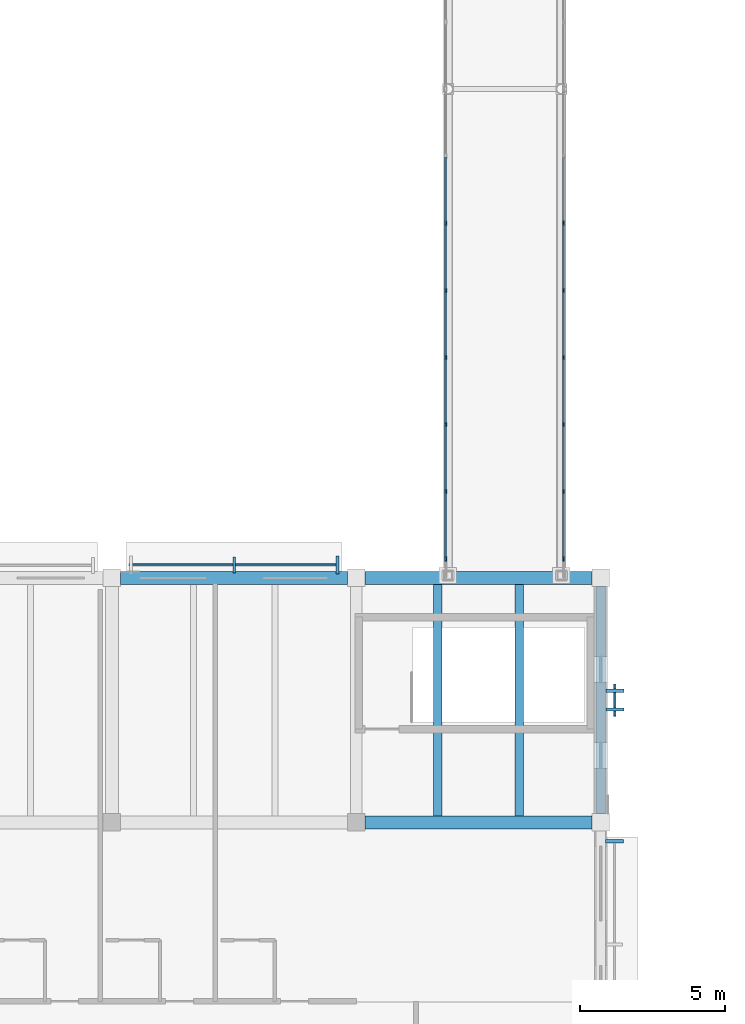
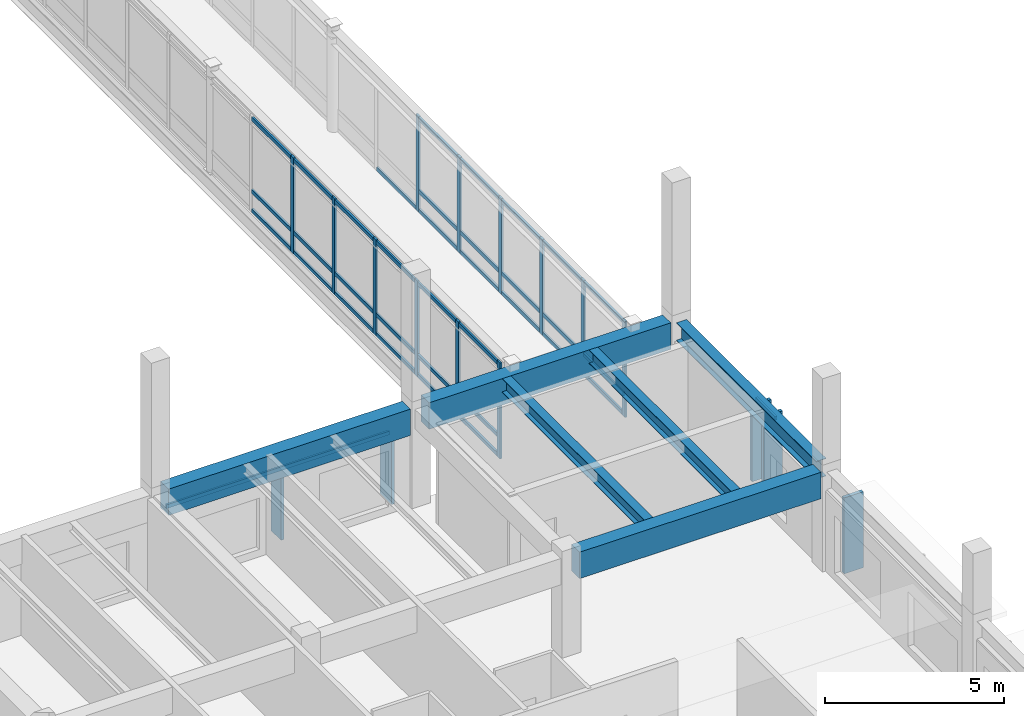
# One storey, part 25 of 118: 53 members, 6 beams, 5 elements without a shape of their own.
"""IFC4 building model written with IfcOpenShell, lengths in metres."""

from ifc_helpers import new_model, si_unit, direction, frame, origin, origin_2d, place, context, subcontext, project, spatial, rectangle, i_section, extrude, material, material_profile, profile_set, type_object, element, aggregate, save


model = new_model("IFC4")

# Units and contexts
model_context = context("Model", 3, precision=1e-05, world=origin(), true_north=direction((0.0, 1.0)))
body_context = subcontext(model_context, "Body", "Model", "MODEL_VIEW")
ifc_project = project(units=[si_unit("LENGTHUNIT", "METRE"), si_unit("AREAUNIT", "SQUARE_METRE"), si_unit("VOLUMEUNIT", "CUBIC_METRE"), si_unit("PLANEANGLEUNIT", "RADIAN"), si_unit("MASSUNIT", "GRAM", prefix="KILO")], contexts=[model_context])

# Site, building, storey
site_placement = place(None, origin())
site = spatial("IfcSite", under=ifc_project, at=site_placement, CompositionType="ELEMENT")
building_placement = place(site_placement, origin())
building = spatial("IfcBuilding", under=site, at=building_placement, Name="Cumbredor Promenade Congress Hotel", CompositionType="ELEMENT")
storey_placement = place(building_placement, frame((0.0, 0.0, 3.919921875)))
storey = spatial("IfcBuildingStorey", under=building, at=storey_placement, Name="L01", CompositionType="ELEMENT", Elevation=3.919921875)

# Curtain wall, members
ifc_material_1 = material(Name="Thermally broken anodized aluminium and low-E glass", Category="aluminium")
curtain_wall_type_1 = type_object("IfcCurtainWallType", Name="Unitised Bridge Glazing Screen CW-05", PredefinedType="NOTDEFINED", material=ifc_material_1)
curtain_wall_1_placement = place(storey_placement, origin())
curtain_wall_1 = element("IfcCurtainWall", 1, at=curtain_wall_1_placement, inside=storey, type_object=curtain_wall_type_1, Name="L01 Central Reflecting-Pool Promenade Bridge West Glazing Screen", PredefinedType="NOTDEFINED")
ifc_material_2 = material(Name="Thermally broken anodized aluminium", Category="aluminium")
ifc_material_profile_1 = material_profile(ifc_material_2, rectangle(XDim=0.06494140625, YDim=0.159912109375, at=origin_2d()), Name="ALU MULLION 65x160")
ifc_profile_set_1 = profile_set([ifc_material_profile_1], Name="Thermally broken anodized aluminium")
member_type_1 = type_object("IfcMemberType", Name="Curtain Wall Mullion ML-01", PredefinedType="MULLION", material=ifc_profile_set_1)
member_1_placement = place(storey_placement, frame((103.8798828125, 51.06005859375, -0.0078125), z_axis=(0.0, 0.0, 1.0), x_axis=(1.0, 0.0, 0.0)))
member_1 = element("IfcMember", 2, at=member_1_placement, type_object=member_type_1, Name="L01 Central Reflecting-Pool Promenade Bridge West Glazing Screen Mullion 1", PredefinedType="MULLION", context=body_context, shape_type="SweptSolid", body=[
    extrude(rectangle(XDim=0.06494140625, YDim=0.159912109375, at=origin_2d()), origin(), (0.0, 0.0, 1.0), 3.27587890625),
])
member_2_placement = place(storey_placement, frame((103.8798828125, 53.36572265625, -0.0078125), z_axis=(0.0, 0.0, 1.0), x_axis=(1.0, 0.0, 0.0)))
member_2 = element("IfcMember", 3, at=member_2_placement, type_object=member_type_1, Name="L01 Central Reflecting-Pool Promenade Bridge West Glazing Screen Mullion 2", PredefinedType="MULLION", context=body_context, shape_type="SweptSolid", body=[
    extrude(rectangle(XDim=0.06494140625, YDim=0.159912109375, at=origin_2d()), origin(), (0.0, 0.0, 1.0), 3.27587890625),
])
member_3_placement = place(storey_placement, frame((103.8798828125, 55.67138671875, -0.0078125), z_axis=(0.0, 0.0, 1.0), x_axis=(1.0, 0.0, 0.0)))
member_3 = element("IfcMember", 4, at=member_3_placement, type_object=member_type_1, Name="L01 Central Reflecting-Pool Promenade Bridge West Glazing Screen Mullion 3", PredefinedType="MULLION", context=body_context, shape_type="SweptSolid", body=[
    extrude(rectangle(XDim=0.06494140625, YDim=0.159912109375, at=origin_2d()), origin(), (0.0, 0.0, 1.0), 3.27587890625),
])
member_4_placement = place(storey_placement, frame((103.8798828125, 57.97705078125, -0.0078125), z_axis=(0.0, 0.0, 1.0), x_axis=(1.0, 0.0, 0.0)))
member_4 = element("IfcMember", 5, at=member_4_placement, type_object=member_type_1, Name="L01 Central Reflecting-Pool Promenade Bridge West Glazing Screen Mullion 4", PredefinedType="MULLION", context=body_context, shape_type="SweptSolid", body=[
    extrude(rectangle(XDim=0.06494140625, YDim=0.159912109375, at=origin_2d()), origin(), (0.0, 0.0, 1.0), 3.27587890625),
])
member_5_placement = place(storey_placement, frame((103.8798828125, 60.282958984375, -0.0078125), z_axis=(0.0, 0.0, 1.0), x_axis=(1.0, 0.0, 0.0)))
member_5 = element("IfcMember", 6, at=member_5_placement, type_object=member_type_1, Name="L01 Central Reflecting-Pool Promenade Bridge West Glazing Screen Mullion 5", PredefinedType="MULLION", context=body_context, shape_type="SweptSolid", body=[
    extrude(rectangle(XDim=0.06494140625, YDim=0.159912109375, at=origin_2d()), origin(), (0.0, 0.0, 1.0), 3.27587890625),
])
member_6_placement = place(storey_placement, frame((103.8798828125, 62.588623046875, -0.0078125), z_axis=(0.0, 0.0, 1.0), x_axis=(1.0, 0.0, 0.0)))
member_6 = element("IfcMember", 7, at=member_6_placement, type_object=member_type_1, Name="L01 Central Reflecting-Pool Promenade Bridge West Glazing Screen Mullion 6", PredefinedType="MULLION", context=body_context, shape_type="SweptSolid", body=[
    extrude(rectangle(XDim=0.06494140625, YDim=0.159912109375, at=origin_2d()), origin(), (0.0, 0.0, 1.0), 3.27587890625),
])

curtain_wall_2_placement = place(storey_placement, origin())
curtain_wall_2 = element("IfcCurtainWall", 8, at=curtain_wall_2_placement, inside=storey, type_object=curtain_wall_type_1, Name="L01 Central Reflecting-Pool Promenade Bridge East Glazing Screen", PredefinedType="NOTDEFINED")
member_7_placement = place(storey_placement, frame((107.919921875, 51.06005859375, -0.0078125), z_axis=(0.0, 0.0, 1.0), x_axis=(1.0, 0.0, 0.0)))
member_7 = element("IfcMember", 9, at=member_7_placement, type_object=member_type_1, Name="L01 Central Reflecting-Pool Promenade Bridge East Glazing Screen Mullion 1", PredefinedType="MULLION", context=body_context, shape_type="SweptSolid", body=[
    extrude(rectangle(XDim=0.06494140625, YDim=0.159912109375, at=origin_2d()), origin(), (0.0, 0.0, 1.0), 3.27587890625),
])
member_8_placement = place(storey_placement, frame((107.919921875, 53.36572265625, -0.0078125), z_axis=(0.0, 0.0, 1.0), x_axis=(1.0, 0.0, 0.0)))
member_8 = element("IfcMember", 10, at=member_8_placement, type_object=member_type_1, Name="L01 Central Reflecting-Pool Promenade Bridge East Glazing Screen Mullion 2", PredefinedType="MULLION", context=body_context, shape_type="SweptSolid", body=[
    extrude(rectangle(XDim=0.06494140625, YDim=0.159912109375, at=origin_2d()), origin(), (0.0, 0.0, 1.0), 3.27587890625),
])
member_9_placement = place(storey_placement, frame((107.919921875, 55.67138671875, -0.0078125), z_axis=(0.0, 0.0, 1.0), x_axis=(1.0, 0.0, 0.0)))
member_9 = element("IfcMember", 11, at=member_9_placement, type_object=member_type_1, Name="L01 Central Reflecting-Pool Promenade Bridge East Glazing Screen Mullion 3", PredefinedType="MULLION", context=body_context, shape_type="SweptSolid", body=[
    extrude(rectangle(XDim=0.06494140625, YDim=0.159912109375, at=origin_2d()), origin(), (0.0, 0.0, 1.0), 3.27587890625),
])
member_10_placement = place(storey_placement, frame((107.919921875, 57.97705078125, -0.0078125), z_axis=(0.0, 0.0, 1.0), x_axis=(1.0, 0.0, 0.0)))
member_10 = element("IfcMember", 12, at=member_10_placement, type_object=member_type_1, Name="L01 Central Reflecting-Pool Promenade Bridge East Glazing Screen Mullion 4", PredefinedType="MULLION", context=body_context, shape_type="SweptSolid", body=[
    extrude(rectangle(XDim=0.06494140625, YDim=0.159912109375, at=origin_2d()), origin(), (0.0, 0.0, 1.0), 3.27587890625),
])
member_11_placement = place(storey_placement, frame((107.919921875, 60.282958984375, -0.0078125), z_axis=(0.0, 0.0, 1.0), x_axis=(1.0, 0.0, 0.0)))
member_11 = element("IfcMember", 13, at=member_11_placement, type_object=member_type_1, Name="L01 Central Reflecting-Pool Promenade Bridge East Glazing Screen Mullion 5", PredefinedType="MULLION", context=body_context, shape_type="SweptSolid", body=[
    extrude(rectangle(XDim=0.06494140625, YDim=0.159912109375, at=origin_2d()), origin(), (0.0, 0.0, 1.0), 3.27587890625),
])
member_12_placement = place(storey_placement, frame((107.919921875, 62.588623046875, -0.0078125), z_axis=(0.0, 0.0, 1.0), x_axis=(1.0, 0.0, 0.0)))
member_12 = element("IfcMember", 14, at=member_12_placement, type_object=member_type_1, Name="L01 Central Reflecting-Pool Promenade Bridge East Glazing Screen Mullion 6", PredefinedType="MULLION", context=body_context, shape_type="SweptSolid", body=[
    extrude(rectangle(XDim=0.06494140625, YDim=0.159912109375, at=origin_2d()), origin(), (0.0, 0.0, 1.0), 3.27587890625),
])

# Curtain wall, member
curtain_wall_type_2 = type_object("IfcCurtainWallType", Name="Solar Brise-Soleil Screen Assembly CW-07", PredefinedType="NOTDEFINED", material=ifc_material_1)
curtain_wall_3_placement = place(storey_placement, origin())
curtain_wall_3 = element("IfcCurtainWall", 15, at=curtain_wall_3_placement, inside=storey, type_object=curtain_wall_type_2, Name="L01 Hospitality Brise-Soleil Screen 003", PredefinedType="NOTDEFINED")
ifc_material_profile_2 = material_profile(ifc_material_2, rectangle(XDim=0.06494140625, YDim=0.1298828125, at=origin_2d()), Name="ALU TRANSOM 65x130")
ifc_profile_set_2 = profile_set([ifc_material_profile_2], Name="Thermally broken anodized aluminium")
member_type_2 = type_object("IfcMemberType", Name="Curtain Wall Transom TR-01", PredefinedType="USERDEFINED", material=ifc_profile_set_2)
member_13_placement = place(storey_placement, frame((93.0009765625, 50.85009765625, 2.26513671875), z_axis=(1.0, 0.0, 0.0), x_axis=(0.0, 1.0, 0.0)))
member_13 = element("IfcMember", 16, at=member_13_placement, type_object=member_type_2, Name="L01 Brise-Soleil Screen Transom 003", ObjectType="TRANSOM", PredefinedType="USERDEFINED", context=body_context, shape_type="SweptSolid", body=[
    extrude(rectangle(XDim=0.06494140625, YDim=0.1298828125, at=origin_2d()), origin(), (0.0, 0.0, 1.0), 7.197998046875),
])

curtain_wall_4_placement = place(storey_placement, origin())
curtain_wall_4 = element("IfcCurtainWall", 17, at=curtain_wall_4_placement, inside=storey, type_object=curtain_wall_type_2, Name="L01 Pier Brise-Soleil Screen 0223", PredefinedType="NOTDEFINED")
member_14_placement = place(storey_placement, frame((109.68505859375, 45.64990234375, 2.573974609375), z_axis=(0.0, 1.0, 0.0), x_axis=(-1.0, 0.0, 0.0)))
member_14 = element("IfcMember", 18, at=member_14_placement, type_object=member_type_2, Name="L01 Pier Brise-Soleil Header 0225", ObjectType="TRANSOM", PredefinedType="USERDEFINED", context=body_context, shape_type="SweptSolid", body=[
    extrude(rectangle(XDim=0.06494140625, YDim=0.1298828125, at=origin_2d()), origin(), (0.0, 0.0, 1.0), 1.10009765625),
])

# Member
member_15_placement = place(storey_placement, frame((103.8798828125, 51.092529296875, 0.06005859375), z_axis=(0.0, 1.0, 0.0), x_axis=(-1.0, 0.0, 0.0)))
member_15 = element("IfcMember", 19, at=member_15_placement, type_object=member_type_2, Name="L01 Central Reflecting-Pool Promenade Bridge West Glazing Screen Transom 1.1", ObjectType="TRANSOM", PredefinedType="USERDEFINED", context=body_context, shape_type="SweptSolid", body=[
    extrude(rectangle(XDim=0.06494140625, YDim=0.1298828125, at=origin_2d()), origin(), (0.0, 0.0, 1.0), 2.24072265625),
])

member_16_placement = place(storey_placement, frame((103.8798828125, 51.092529296875, 0.719970703125), z_axis=(0.0, 1.0, 0.0), x_axis=(-1.0, 0.0, 0.0)))
member_16 = element("IfcMember", 20, at=member_16_placement, type_object=member_type_2, Name="L01 Central Reflecting-Pool Promenade Bridge West Glazing Screen Transom 1.2", ObjectType="TRANSOM", PredefinedType="USERDEFINED", context=body_context, shape_type="SweptSolid", body=[
    extrude(rectangle(XDim=0.06494140625, YDim=0.1298828125, at=origin_2d()), origin(), (0.0, 0.0, 1.0), 2.24072265625),
])

member_17_placement = place(storey_placement, frame((103.8798828125, 51.092529296875, 3.190185546875), z_axis=(0.0, 1.0, 0.0), x_axis=(-1.0, 0.0, 0.0)))
member_17 = element("IfcMember", 21, at=member_17_placement, type_object=member_type_2, Name="L01 Central Reflecting-Pool Promenade Bridge West Glazing Screen Transom 1.3", ObjectType="TRANSOM", PredefinedType="USERDEFINED", context=body_context, shape_type="SweptSolid", body=[
    extrude(rectangle(XDim=0.06494140625, YDim=0.1298828125, at=origin_2d()), origin(), (0.0, 0.0, 1.0), 2.24072265625),
])

member_18_placement = place(storey_placement, frame((103.8798828125, 53.398193359375, 0.06005859375), z_axis=(0.0, 1.0, 0.0), x_axis=(-1.0, 0.0, 0.0)))
member_18 = element("IfcMember", 22, at=member_18_placement, type_object=member_type_2, Name="L01 Central Reflecting-Pool Promenade Bridge West Glazing Screen Transom 2.1", ObjectType="TRANSOM", PredefinedType="USERDEFINED", context=body_context, shape_type="SweptSolid", body=[
    extrude(rectangle(XDim=0.06494140625, YDim=0.1298828125, at=origin_2d()), origin(), (0.0, 0.0, 1.0), 2.24072265625),
])

member_19_placement = place(storey_placement, frame((103.8798828125, 53.398193359375, 0.719970703125), z_axis=(0.0, 1.0, 0.0), x_axis=(-1.0, 0.0, 0.0)))
member_19 = element("IfcMember", 23, at=member_19_placement, type_object=member_type_2, Name="L01 Central Reflecting-Pool Promenade Bridge West Glazing Screen Transom 2.2", ObjectType="TRANSOM", PredefinedType="USERDEFINED", context=body_context, shape_type="SweptSolid", body=[
    extrude(rectangle(XDim=0.06494140625, YDim=0.1298828125, at=origin_2d()), origin(), (0.0, 0.0, 1.0), 2.24072265625),
])

member_20_placement = place(storey_placement, frame((103.8798828125, 53.398193359375, 3.190185546875), z_axis=(0.0, 1.0, 0.0), x_axis=(-1.0, 0.0, 0.0)))
member_20 = element("IfcMember", 24, at=member_20_placement, type_object=member_type_2, Name="L01 Central Reflecting-Pool Promenade Bridge West Glazing Screen Transom 2.3", ObjectType="TRANSOM", PredefinedType="USERDEFINED", context=body_context, shape_type="SweptSolid", body=[
    extrude(rectangle(XDim=0.06494140625, YDim=0.1298828125, at=origin_2d()), origin(), (0.0, 0.0, 1.0), 2.24072265625),
])

member_21_placement = place(storey_placement, frame((103.8798828125, 55.703857421875, 0.06005859375), z_axis=(0.0, 1.0, 0.0), x_axis=(-1.0, 0.0, 0.0)))
member_21 = element("IfcMember", 25, at=member_21_placement, type_object=member_type_2, Name="L01 Central Reflecting-Pool Promenade Bridge West Glazing Screen Transom 3.1", ObjectType="TRANSOM", PredefinedType="USERDEFINED", context=body_context, shape_type="SweptSolid", body=[
    extrude(rectangle(XDim=0.06494140625, YDim=0.1298828125, at=origin_2d()), origin(), (0.0, 0.0, 1.0), 2.24072265625),
])

member_22_placement = place(storey_placement, frame((103.8798828125, 55.703857421875, 0.719970703125), z_axis=(0.0, 1.0, 0.0), x_axis=(-1.0, 0.0, 0.0)))
member_22 = element("IfcMember", 26, at=member_22_placement, type_object=member_type_2, Name="L01 Central Reflecting-Pool Promenade Bridge West Glazing Screen Transom 3.2", ObjectType="TRANSOM", PredefinedType="USERDEFINED", context=body_context, shape_type="SweptSolid", body=[
    extrude(rectangle(XDim=0.06494140625, YDim=0.1298828125, at=origin_2d()), origin(), (0.0, 0.0, 1.0), 2.24072265625),
])

member_23_placement = place(storey_placement, frame((103.8798828125, 55.703857421875, 3.190185546875), z_axis=(0.0, 1.0, 0.0), x_axis=(-1.0, 0.0, 0.0)))
member_23 = element("IfcMember", 27, at=member_23_placement, type_object=member_type_2, Name="L01 Central Reflecting-Pool Promenade Bridge West Glazing Screen Transom 3.3", ObjectType="TRANSOM", PredefinedType="USERDEFINED", context=body_context, shape_type="SweptSolid", body=[
    extrude(rectangle(XDim=0.06494140625, YDim=0.1298828125, at=origin_2d()), origin(), (0.0, 0.0, 1.0), 2.24072265625),
])

member_24_placement = place(storey_placement, frame((103.8798828125, 58.009521484375, 0.06005859375), z_axis=(0.0, 1.0, 0.0), x_axis=(-1.0, 0.0, 0.0)))
member_24 = element("IfcMember", 28, at=member_24_placement, type_object=member_type_2, Name="L01 Central Reflecting-Pool Promenade Bridge West Glazing Screen Transom 4.1", ObjectType="TRANSOM", PredefinedType="USERDEFINED", context=body_context, shape_type="SweptSolid", body=[
    extrude(rectangle(XDim=0.06494140625, YDim=0.1298828125, at=origin_2d()), origin(), (0.0, 0.0, 1.0), 2.240966796875),
])

member_25_placement = place(storey_placement, frame((103.8798828125, 58.009521484375, 0.719970703125), z_axis=(0.0, 1.0, 0.0), x_axis=(-1.0, 0.0, 0.0)))
member_25 = element("IfcMember", 29, at=member_25_placement, type_object=member_type_2, Name="L01 Central Reflecting-Pool Promenade Bridge West Glazing Screen Transom 4.2", ObjectType="TRANSOM", PredefinedType="USERDEFINED", context=body_context, shape_type="SweptSolid", body=[
    extrude(rectangle(XDim=0.06494140625, YDim=0.1298828125, at=origin_2d()), origin(), (0.0, 0.0, 1.0), 2.240966796875),
])

member_26_placement = place(storey_placement, frame((103.8798828125, 58.009521484375, 3.190185546875), z_axis=(0.0, 1.0, 0.0), x_axis=(-1.0, 0.0, 0.0)))
member_26 = element("IfcMember", 30, at=member_26_placement, type_object=member_type_2, Name="L01 Central Reflecting-Pool Promenade Bridge West Glazing Screen Transom 4.3", ObjectType="TRANSOM", PredefinedType="USERDEFINED", context=body_context, shape_type="SweptSolid", body=[
    extrude(rectangle(XDim=0.06494140625, YDim=0.1298828125, at=origin_2d()), origin(), (0.0, 0.0, 1.0), 2.240966796875),
])

member_27_placement = place(storey_placement, frame((103.8798828125, 60.3154296875, 0.06005859375), z_axis=(0.0, 1.0, 0.0), x_axis=(-1.0, 0.0, 0.0)))
member_27 = element("IfcMember", 31, at=member_27_placement, type_object=member_type_2, Name="L01 Central Reflecting-Pool Promenade Bridge West Glazing Screen Transom 5.1", ObjectType="TRANSOM", PredefinedType="USERDEFINED", context=body_context, shape_type="SweptSolid", body=[
    extrude(rectangle(XDim=0.06494140625, YDim=0.1298828125, at=origin_2d()), origin(), (0.0, 0.0, 1.0), 2.24072265625),
])

member_28_placement = place(storey_placement, frame((103.8798828125, 60.3154296875, 0.719970703125), z_axis=(0.0, 1.0, 0.0), x_axis=(-1.0, 0.0, 0.0)))
member_28 = element("IfcMember", 32, at=member_28_placement, type_object=member_type_2, Name="L01 Central Reflecting-Pool Promenade Bridge West Glazing Screen Transom 5.2", ObjectType="TRANSOM", PredefinedType="USERDEFINED", context=body_context, shape_type="SweptSolid", body=[
    extrude(rectangle(XDim=0.06494140625, YDim=0.1298828125, at=origin_2d()), origin(), (0.0, 0.0, 1.0), 2.24072265625),
])

member_29_placement = place(storey_placement, frame((103.8798828125, 60.3154296875, 3.190185546875), z_axis=(0.0, 1.0, 0.0), x_axis=(-1.0, 0.0, 0.0)))
member_29 = element("IfcMember", 33, at=member_29_placement, type_object=member_type_2, Name="L01 Central Reflecting-Pool Promenade Bridge West Glazing Screen Transom 5.3", ObjectType="TRANSOM", PredefinedType="USERDEFINED", context=body_context, shape_type="SweptSolid", body=[
    extrude(rectangle(XDim=0.06494140625, YDim=0.1298828125, at=origin_2d()), origin(), (0.0, 0.0, 1.0), 2.24072265625),
])

member_30_placement = place(storey_placement, frame((103.8798828125, 62.62109375, 0.06005859375), z_axis=(0.0, 1.0, 0.0), x_axis=(-1.0, 0.0, 0.0)))
member_30 = element("IfcMember", 34, at=member_30_placement, type_object=member_type_2, Name="L01 Central Reflecting-Pool Promenade Bridge West Glazing Screen Transom 6.1", ObjectType="TRANSOM", PredefinedType="USERDEFINED", context=body_context, shape_type="SweptSolid", body=[
    extrude(rectangle(XDim=0.06494140625, YDim=0.1298828125, at=origin_2d()), origin(), (0.0, 0.0, 1.0), 2.24072265625),
])

member_31_placement = place(storey_placement, frame((103.8798828125, 62.62109375, 0.719970703125), z_axis=(0.0, 1.0, 0.0), x_axis=(-1.0, 0.0, 0.0)))
member_31 = element("IfcMember", 35, at=member_31_placement, type_object=member_type_2, Name="L01 Central Reflecting-Pool Promenade Bridge West Glazing Screen Transom 6.2", ObjectType="TRANSOM", PredefinedType="USERDEFINED", context=body_context, shape_type="SweptSolid", body=[
    extrude(rectangle(XDim=0.06494140625, YDim=0.1298828125, at=origin_2d()), origin(), (0.0, 0.0, 1.0), 2.24072265625),
])

member_32_placement = place(storey_placement, frame((103.8798828125, 62.62109375, 3.190185546875), z_axis=(0.0, 1.0, 0.0), x_axis=(-1.0, 0.0, 0.0)))
member_32 = element("IfcMember", 36, at=member_32_placement, type_object=member_type_2, Name="L01 Central Reflecting-Pool Promenade Bridge West Glazing Screen Transom 6.3", ObjectType="TRANSOM", PredefinedType="USERDEFINED", context=body_context, shape_type="SweptSolid", body=[
    extrude(rectangle(XDim=0.06494140625, YDim=0.1298828125, at=origin_2d()), origin(), (0.0, 0.0, 1.0), 2.24072265625),
])

aggregate(curtain_wall_1, [member_1, member_2, member_3, member_4, member_5, member_6, member_15, member_16, member_17, member_18, member_19, member_20, member_21, member_22, member_23, member_24, member_25, member_26, member_27, member_28, member_29, member_30, member_31, member_32])

member_33_placement = place(storey_placement, frame((107.919921875, 51.092529296875, 0.06005859375), z_axis=(0.0, 1.0, 0.0), x_axis=(-1.0, 0.0, 0.0)))
member_33 = element("IfcMember", 37, at=member_33_placement, type_object=member_type_2, Name="L01 Central Reflecting-Pool Promenade Bridge East Glazing Screen Transom 1.1", ObjectType="TRANSOM", PredefinedType="USERDEFINED", context=body_context, shape_type="SweptSolid", body=[
    extrude(rectangle(XDim=0.06494140625, YDim=0.1298828125, at=origin_2d()), origin(), (0.0, 0.0, 1.0), 2.24072265625),
])

member_34_placement = place(storey_placement, frame((107.919921875, 51.092529296875, 0.719970703125), z_axis=(0.0, 1.0, 0.0), x_axis=(-1.0, 0.0, 0.0)))
member_34 = element("IfcMember", 38, at=member_34_placement, type_object=member_type_2, Name="L01 Central Reflecting-Pool Promenade Bridge East Glazing Screen Transom 1.2", ObjectType="TRANSOM", PredefinedType="USERDEFINED", context=body_context, shape_type="SweptSolid", body=[
    extrude(rectangle(XDim=0.06494140625, YDim=0.1298828125, at=origin_2d()), origin(), (0.0, 0.0, 1.0), 2.24072265625),
])

member_35_placement = place(storey_placement, frame((107.919921875, 51.092529296875, 3.190185546875), z_axis=(0.0, 1.0, 0.0), x_axis=(-1.0, 0.0, 0.0)))
member_35 = element("IfcMember", 39, at=member_35_placement, type_object=member_type_2, Name="L01 Central Reflecting-Pool Promenade Bridge East Glazing Screen Transom 1.3", ObjectType="TRANSOM", PredefinedType="USERDEFINED", context=body_context, shape_type="SweptSolid", body=[
    extrude(rectangle(XDim=0.06494140625, YDim=0.1298828125, at=origin_2d()), origin(), (0.0, 0.0, 1.0), 2.24072265625),
])

member_36_placement = place(storey_placement, frame((107.919921875, 53.398193359375, 0.06005859375), z_axis=(0.0, 1.0, 0.0), x_axis=(-1.0, 0.0, 0.0)))
member_36 = element("IfcMember", 40, at=member_36_placement, type_object=member_type_2, Name="L01 Central Reflecting-Pool Promenade Bridge East Glazing Screen Transom 2.1", ObjectType="TRANSOM", PredefinedType="USERDEFINED", context=body_context, shape_type="SweptSolid", body=[
    extrude(rectangle(XDim=0.06494140625, YDim=0.1298828125, at=origin_2d()), origin(), (0.0, 0.0, 1.0), 2.24072265625),
])

member_37_placement = place(storey_placement, frame((107.919921875, 53.398193359375, 0.719970703125), z_axis=(0.0, 1.0, 0.0), x_axis=(-1.0, 0.0, 0.0)))
member_37 = element("IfcMember", 41, at=member_37_placement, type_object=member_type_2, Name="L01 Central Reflecting-Pool Promenade Bridge East Glazing Screen Transom 2.2", ObjectType="TRANSOM", PredefinedType="USERDEFINED", context=body_context, shape_type="SweptSolid", body=[
    extrude(rectangle(XDim=0.06494140625, YDim=0.1298828125, at=origin_2d()), origin(), (0.0, 0.0, 1.0), 2.24072265625),
])

member_38_placement = place(storey_placement, frame((107.919921875, 53.398193359375, 3.190185546875), z_axis=(0.0, 1.0, 0.0), x_axis=(-1.0, 0.0, 0.0)))
member_38 = element("IfcMember", 42, at=member_38_placement, type_object=member_type_2, Name="L01 Central Reflecting-Pool Promenade Bridge East Glazing Screen Transom 2.3", ObjectType="TRANSOM", PredefinedType="USERDEFINED", context=body_context, shape_type="SweptSolid", body=[
    extrude(rectangle(XDim=0.06494140625, YDim=0.1298828125, at=origin_2d()), origin(), (0.0, 0.0, 1.0), 2.24072265625),
])

member_39_placement = place(storey_placement, frame((107.919921875, 55.703857421875, 0.06005859375), z_axis=(0.0, 1.0, 0.0), x_axis=(-1.0, 0.0, 0.0)))
member_39 = element("IfcMember", 43, at=member_39_placement, type_object=member_type_2, Name="L01 Central Reflecting-Pool Promenade Bridge East Glazing Screen Transom 3.1", ObjectType="TRANSOM", PredefinedType="USERDEFINED", context=body_context, shape_type="SweptSolid", body=[
    extrude(rectangle(XDim=0.06494140625, YDim=0.1298828125, at=origin_2d()), origin(), (0.0, 0.0, 1.0), 2.24072265625),
])

member_40_placement = place(storey_placement, frame((107.919921875, 55.703857421875, 0.719970703125), z_axis=(0.0, 1.0, 0.0), x_axis=(-1.0, 0.0, 0.0)))
member_40 = element("IfcMember", 44, at=member_40_placement, type_object=member_type_2, Name="L01 Central Reflecting-Pool Promenade Bridge East Glazing Screen Transom 3.2", ObjectType="TRANSOM", PredefinedType="USERDEFINED", context=body_context, shape_type="SweptSolid", body=[
    extrude(rectangle(XDim=0.06494140625, YDim=0.1298828125, at=origin_2d()), origin(), (0.0, 0.0, 1.0), 2.24072265625),
])

member_41_placement = place(storey_placement, frame((107.919921875, 55.703857421875, 3.190185546875), z_axis=(0.0, 1.0, 0.0), x_axis=(-1.0, 0.0, 0.0)))
member_41 = element("IfcMember", 45, at=member_41_placement, type_object=member_type_2, Name="L01 Central Reflecting-Pool Promenade Bridge East Glazing Screen Transom 3.3", ObjectType="TRANSOM", PredefinedType="USERDEFINED", context=body_context, shape_type="SweptSolid", body=[
    extrude(rectangle(XDim=0.06494140625, YDim=0.1298828125, at=origin_2d()), origin(), (0.0, 0.0, 1.0), 2.24072265625),
])

member_42_placement = place(storey_placement, frame((107.919921875, 58.009521484375, 0.06005859375), z_axis=(0.0, 1.0, 0.0), x_axis=(-1.0, 0.0, 0.0)))
member_42 = element("IfcMember", 46, at=member_42_placement, type_object=member_type_2, Name="L01 Central Reflecting-Pool Promenade Bridge East Glazing Screen Transom 4.1", ObjectType="TRANSOM", PredefinedType="USERDEFINED", context=body_context, shape_type="SweptSolid", body=[
    extrude(rectangle(XDim=0.06494140625, YDim=0.1298828125, at=origin_2d()), origin(), (0.0, 0.0, 1.0), 2.240966796875),
])

member_43_placement = place(storey_placement, frame((107.919921875, 58.009521484375, 0.719970703125), z_axis=(0.0, 1.0, 0.0), x_axis=(-1.0, 0.0, 0.0)))
member_43 = element("IfcMember", 47, at=member_43_placement, type_object=member_type_2, Name="L01 Central Reflecting-Pool Promenade Bridge East Glazing Screen Transom 4.2", ObjectType="TRANSOM", PredefinedType="USERDEFINED", context=body_context, shape_type="SweptSolid", body=[
    extrude(rectangle(XDim=0.06494140625, YDim=0.1298828125, at=origin_2d()), origin(), (0.0, 0.0, 1.0), 2.240966796875),
])

member_44_placement = place(storey_placement, frame((107.919921875, 58.009521484375, 3.190185546875), z_axis=(0.0, 1.0, 0.0), x_axis=(-1.0, 0.0, 0.0)))
member_44 = element("IfcMember", 48, at=member_44_placement, type_object=member_type_2, Name="L01 Central Reflecting-Pool Promenade Bridge East Glazing Screen Transom 4.3", ObjectType="TRANSOM", PredefinedType="USERDEFINED", context=body_context, shape_type="SweptSolid", body=[
    extrude(rectangle(XDim=0.06494140625, YDim=0.1298828125, at=origin_2d()), origin(), (0.0, 0.0, 1.0), 2.240966796875),
])

member_45_placement = place(storey_placement, frame((107.919921875, 60.3154296875, 0.06005859375), z_axis=(0.0, 1.0, 0.0), x_axis=(-1.0, 0.0, 0.0)))
member_45 = element("IfcMember", 49, at=member_45_placement, type_object=member_type_2, Name="L01 Central Reflecting-Pool Promenade Bridge East Glazing Screen Transom 5.1", ObjectType="TRANSOM", PredefinedType="USERDEFINED", context=body_context, shape_type="SweptSolid", body=[
    extrude(rectangle(XDim=0.06494140625, YDim=0.1298828125, at=origin_2d()), origin(), (0.0, 0.0, 1.0), 2.24072265625),
])

member_46_placement = place(storey_placement, frame((107.919921875, 60.3154296875, 0.719970703125), z_axis=(0.0, 1.0, 0.0), x_axis=(-1.0, 0.0, 0.0)))
member_46 = element("IfcMember", 50, at=member_46_placement, type_object=member_type_2, Name="L01 Central Reflecting-Pool Promenade Bridge East Glazing Screen Transom 5.2", ObjectType="TRANSOM", PredefinedType="USERDEFINED", context=body_context, shape_type="SweptSolid", body=[
    extrude(rectangle(XDim=0.06494140625, YDim=0.1298828125, at=origin_2d()), origin(), (0.0, 0.0, 1.0), 2.24072265625),
])

member_47_placement = place(storey_placement, frame((107.919921875, 60.3154296875, 3.190185546875), z_axis=(0.0, 1.0, 0.0), x_axis=(-1.0, 0.0, 0.0)))
member_47 = element("IfcMember", 51, at=member_47_placement, type_object=member_type_2, Name="L01 Central Reflecting-Pool Promenade Bridge East Glazing Screen Transom 5.3", ObjectType="TRANSOM", PredefinedType="USERDEFINED", context=body_context, shape_type="SweptSolid", body=[
    extrude(rectangle(XDim=0.06494140625, YDim=0.1298828125, at=origin_2d()), origin(), (0.0, 0.0, 1.0), 2.24072265625),
])

member_48_placement = place(storey_placement, frame((107.919921875, 62.62109375, 0.06005859375), z_axis=(0.0, 1.0, 0.0), x_axis=(-1.0, 0.0, 0.0)))
member_48 = element("IfcMember", 52, at=member_48_placement, type_object=member_type_2, Name="L01 Central Reflecting-Pool Promenade Bridge East Glazing Screen Transom 6.1", ObjectType="TRANSOM", PredefinedType="USERDEFINED", context=body_context, shape_type="SweptSolid", body=[
    extrude(rectangle(XDim=0.06494140625, YDim=0.1298828125, at=origin_2d()), origin(), (0.0, 0.0, 1.0), 2.24072265625),
])

aggregate(curtain_wall_2, [member_7, member_8, member_9, member_10, member_11, member_12, member_33, member_34, member_35, member_36, member_37, member_38, member_39, member_40, member_41, member_42, member_43, member_44, member_45, member_46, member_47, member_48])

# Beams
ifc_material_3 = material(Name="Steel ASTM A992 Grade 50", Category="steel")
ifc_material_profile_3 = material_profile(ifc_material_3, i_section(OverallWidth=0.280029296875, OverallDepth=0.462890625, WebThickness=0.0107421875, FlangeThickness=0.017333984375, at=origin_2d()), Name="W18X76")
ifc_profile_set_3 = profile_set([ifc_material_profile_3], Name="Steel ASTM A992 Grade 50")
beam_type_1 = type_object("IfcBeamType", Name="JST-W18X76", PredefinedType="JOIST", material=ifc_profile_set_3)
for number, where, z_axis, x_axis, name in (
    (53, (103.60009765625, 42.22509765625, 3.128662109375), (0.0, 1.0, 0.0), (-1.0, 0.0, 0.0), "L02 Secondary Floor Joist 0110"),
    (54, (106.39990234375, 42.22509765625, 3.128662109375), (0.0, 1.0, 0.0), (-1.0, 0.0, 0.0), "L02 Secondary Floor Joist 0111"),
):
    element("IfcBeam", number, at=place(storey_placement, frame(where, z_axis=z_axis, x_axis=x_axis)), inside=storey, type_object=beam_type_1, Name=name, PredefinedType="JOIST", context=body_context, shape_type="SweptSolid", body=[
        extrude(i_section(OverallWidth=0.280029296875, OverallDepth=0.462890625, WebThickness=0.0107421875, FlangeThickness=0.017333984375, at=origin_2d()), origin(), (0.0, 0.0, 1.0), 7.949951171875),
    ])
ifc_material_4 = material(Name="Concrete C40/50", Category="concrete")
ifc_material_profile_4 = material_profile(ifc_material_4, rectangle(XDim=0.449951171875, YDim=0.89990234375, at=origin_2d()), Name="RC SPANDREL 450x900")
ifc_profile_set_4 = profile_set([ifc_material_profile_4], Name="Concrete C40/50")
beam_type_2 = type_object("IfcBeamType", Name="SP-RC-450x900", PredefinedType="SPANDREL", material=ifc_profile_set_4)
beam_1_placement = place(storey_placement, frame((92.699951171875, 50.39990234375, 2.91015625), z_axis=(1.0, 0.0, 0.0), x_axis=(0.0, 1.0, 0.0)))
element("IfcBeam", 55, at=beam_1_placement, inside=storey, type_object=beam_type_2, Name="L02 X-Grid Beam 171", PredefinedType="SPANDREL", context=body_context, shape_type="SweptSolid", body=[
    extrude(rectangle(XDim=0.449951171875, YDim=0.89990234375, at=origin_2d()), origin(), (0.0, 0.0, 1.0), 7.800048828125),
])
for number, where, z_axis, x_axis, name in (
    (56, (101.10009765625, 42.0, 2.91015625), (1.0, 0.0, 0.0), (0.0, 1.0, 0.0), "L02 X-Grid Beam 184"),
    (57, (101.10009765625, 50.39990234375, 2.91015625), (1.0, 0.0, 0.0), (0.0, 1.0, 0.0), "L02 X-Grid Beam 186"),
):
    element("IfcBeam", number, at=place(storey_placement, frame(where, z_axis=z_axis, x_axis=x_axis)), inside=storey, type_object=beam_type_2, Name=name, PredefinedType="SPANDREL", context=body_context, shape_type="SweptSolid", body=[
        extrude(rectangle(XDim=0.449951171875, YDim=0.89990234375, at=origin_2d()), origin(), (0.0, 0.0, 1.0), 7.7998046875),
    ])
ifc_material_profile_5 = material_profile(ifc_material_3, i_section(OverallWidth=0.323974609375, OverallDepth=0.611083984375, WebThickness=0.0126953125, FlangeThickness=0.01904296875, at=origin_2d()), Name="W24X104")
ifc_profile_set_5 = profile_set([ifc_material_profile_5], Name="Steel ASTM A992 Grade 50")
beam_type_3 = type_object("IfcBeamType", Name="SP-W24X104", PredefinedType="SPANDREL", material=ifc_profile_set_5)
beam_2_placement = place(storey_placement, frame((109.199951171875, 42.300048828125, 3.0546875), z_axis=(0.0, 1.0, 0.0), x_axis=(-1.0, 0.0, 0.0)))
element("IfcBeam", 58, at=beam_2_placement, inside=storey, type_object=beam_type_3, Name="L02 Y-Grid Beam 198", PredefinedType="SPANDREL", context=body_context, shape_type="SweptSolid", body=[
    extrude(i_section(OverallWidth=0.323974609375, OverallDepth=0.611083984375, WebThickness=0.0126953125, FlangeThickness=0.01904296875, at=origin_2d()), origin(), (0.0, 0.0, 1.0), 7.800048828125),
])

# Member
ifc_material_profile_6 = material_profile(ifc_material_2, rectangle(XDim=0.110107421875, YDim=0.6201171875, at=origin_2d()), Name="ARCH FIN 110x620")
ifc_profile_set_6 = profile_set([ifc_material_profile_6], Name="Thermally broken anodized aluminium")
member_type_3 = type_object("IfcMemberType", Name="Vertical Bronze Brise-Soleil Fin BSF-02 110x620", PredefinedType="USERDEFINED", material=ifc_profile_set_6)
member_49_placement = place(storey_placement, frame((100.14892578125, 50.85009765625, 0.02001953125), z_axis=(0.0, 0.0, 1.0), x_axis=(1.0, 0.0, 0.0)))
member_49 = element("IfcMember", 59, at=member_49_placement, type_object=member_type_3, Name="L01 Vertical Brise-Soleil Fin 0204", ObjectType="SOLAR FIN", PredefinedType="USERDEFINED", context=body_context, shape_type="SweptSolid", body=[
    extrude(rectangle(XDim=0.110107421875, YDim=0.6201171875, at=origin_2d()), origin(), (0.0, 0.0, 1.0), 2.30517578125),
])

# Curtain wall, member
curtain_wall_5_placement = place(storey_placement, origin())
curtain_wall_5 = element("IfcCurtainWall", 60, at=curtain_wall_5_placement, inside=storey, type_object=curtain_wall_type_2, Name="L01 Hospitality Brise-Soleil Screen 007", PredefinedType="NOTDEFINED")
member_50_placement = place(storey_placement, frame((109.672607421875, 41.34912109375, 0.02001953125), z_axis=(0.0, 0.0, 1.0), x_axis=(0.0, 1.0, 0.0)))
member_50 = element("IfcMember", 61, at=member_50_placement, type_object=member_type_3, Name="L01 Vertical Brise-Soleil Fin 0222", ObjectType="SOLAR FIN", PredefinedType="USERDEFINED", context=body_context, shape_type="SweptSolid", body=[
    extrude(rectangle(XDim=0.110107421875, YDim=0.6201171875, at=origin_2d()), origin(), (0.0, 0.0, 1.0), 2.593994140625),
])
aggregate(curtain_wall_5, [member_50])

# Member
member_51_placement = place(storey_placement, frame((109.68505859375, 45.8798828125, 0.02001953125), z_axis=(0.0, 0.0, 1.0), x_axis=(0.0, 1.0, 0.0)))
member_51 = element("IfcMember", 62, at=member_51_placement, type_object=member_type_3, Name="L01 Pier Brise-Soleil Fin 0224", ObjectType="SOLAR FIN", PredefinedType="USERDEFINED", context=body_context, shape_type="SweptSolid", body=[
    extrude(rectangle(XDim=0.110107421875, YDim=0.6201171875, at=origin_2d()), origin(), (0.0, 0.0, 1.0), 2.593994140625),
])

member_52_placement = place(storey_placement, frame((109.68505859375, 46.52001953125, 0.02001953125), z_axis=(0.0, 0.0, 1.0), x_axis=(0.0, 1.0, 0.0)))
member_52 = element("IfcMember", 63, at=member_52_placement, type_object=member_type_3, Name="L01 Pier Brise-Soleil Fin 0225", ObjectType="SOLAR FIN", PredefinedType="USERDEFINED", context=body_context, shape_type="SweptSolid", body=[
    extrude(rectangle(XDim=0.110107421875, YDim=0.6201171875, at=origin_2d()), origin(), (0.0, 0.0, 1.0), 2.593994140625),
])

aggregate(curtain_wall_4, [member_51, member_52, member_14])

ifc_material_5 = material(Name="Kiln-dried tropical hardwood", Category="wood")
ifc_material_profile_7 = material_profile(ifc_material_5, rectangle(XDim=0.090087890625, YDim=0.550048828125, at=origin_2d()), Name="ARCH FIN 90x550")
ifc_profile_set_7 = profile_set([ifc_material_profile_7], Name="Kiln-dried tropical hardwood")
member_type_4 = type_object("IfcMemberType", Name="Vertical Hardwood Brise-Soleil Fin BSF-01 90x550", PredefinedType="USERDEFINED", material=ifc_profile_set_7)
member_53_placement = place(storey_placement, frame((96.60009765625, 50.85009765625, 0.02001953125), z_axis=(0.0, 0.0, 1.0), x_axis=(1.0, 0.0, 0.0)))
member_53 = element("IfcMember", 64, at=member_53_placement, type_object=member_type_4, Name="L01 Vertical Brise-Soleil Fin 0203", ObjectType="SOLAR FIN", PredefinedType="USERDEFINED", context=body_context, shape_type="SweptSolid", body=[
    extrude(rectangle(XDim=0.090087890625, YDim=0.550048828125, at=origin_2d()), origin(), (0.0, 0.0, 1.0), 2.30517578125),
])

aggregate(curtain_wall_3, [member_13, member_53, member_49])

save(model, "model.ifc")
